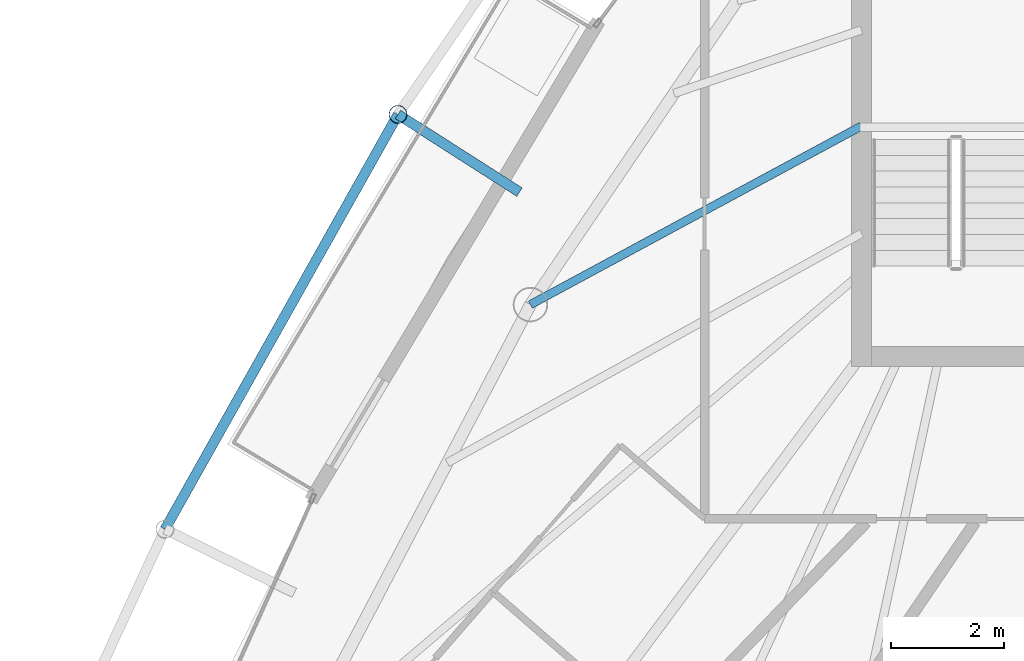
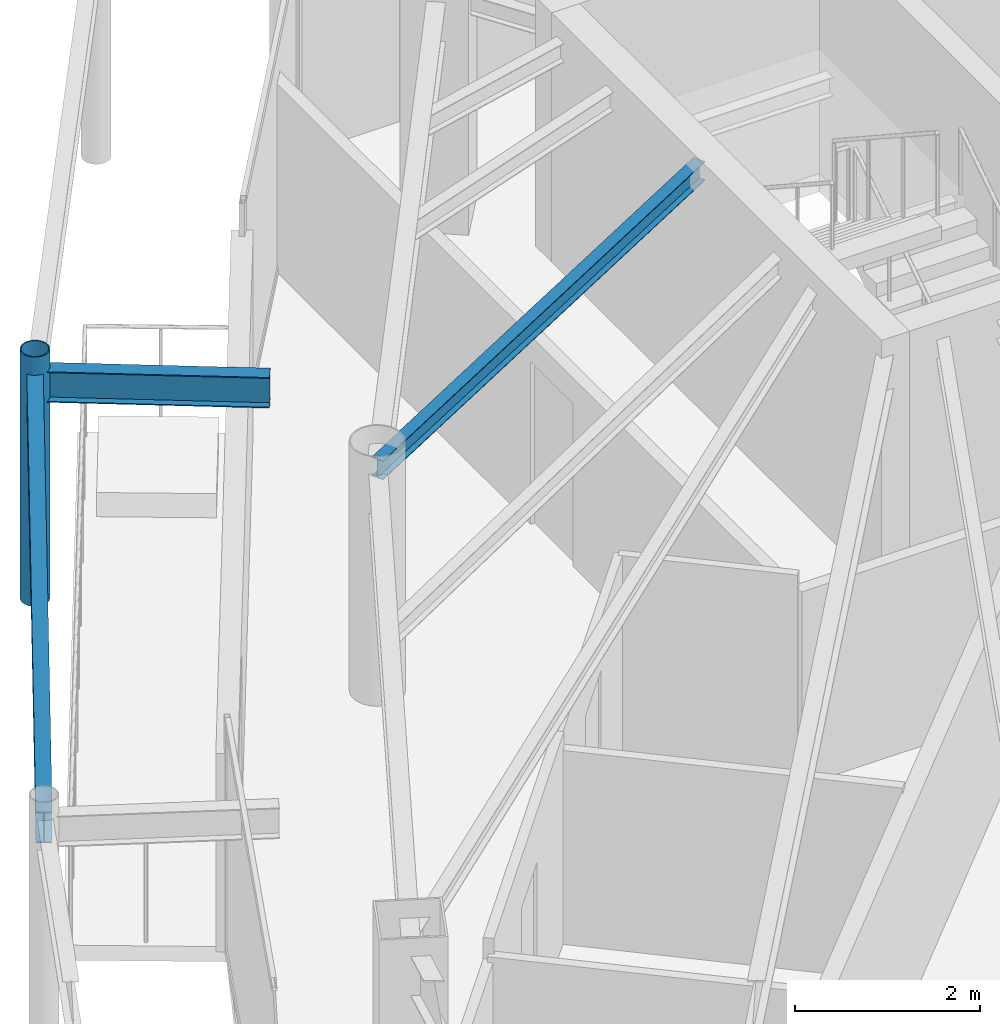
# One storey, part 11 of 29: 3 beams, 1 member.
"""IFC4 building model written with IfcOpenShell, lengths in metres."""

from ifc_helpers import new_model, si_unit, direction, frame, origin, origin_2d, place, context, subcontext, project, spatial, hollow_circle, i_section, extrude, material, material_profile, profile_set, type_object, element, save


model = new_model("IFC4")

# Units and contexts
model_context = context("Model", 3, precision=1e-05, world=origin(), true_north=direction((0.0, 1.0)))
body_context = subcontext(model_context, "Body", "Model", "MODEL_VIEW")
ifc_project = project(units=[si_unit("LENGTHUNIT", "METRE"), si_unit("AREAUNIT", "SQUARE_METRE"), si_unit("VOLUMEUNIT", "CUBIC_METRE"), si_unit("PLANEANGLEUNIT", "RADIAN"), si_unit("MASSUNIT", "GRAM", prefix="KILO")], contexts=[model_context])

# Site, building, storey
site_placement = place(None, origin())
site = spatial("IfcSite", under=ifc_project, at=site_placement, CompositionType="ELEMENT")
building_placement = place(site_placement, origin())
building = spatial("IfcBuilding", under=site, at=building_placement, Name="Orvanel Arch Residences", CompositionType="ELEMENT")
storey_placement = place(building_placement, frame((0.0, 0.0, 243.64990234375)))
storey = spatial("IfcBuildingStorey", under=building, at=storey_placement, Name="L69", CompositionType="ELEMENT", Elevation=243.64990234375)

# Beams
ifc_material_1 = material(Name="Structural steel AS/NZS 3679.1 Grade 300 (300 MPa)", Category="steel")
ifc_material_profile_1 = material_profile(ifc_material_1, i_section(OverallWidth=0.14599609375, OverallDepth=0.251953125, WebThickness=0.006103515625, FlangeThickness=0.008544921875, at=origin_2d()), Name="250UB31.4")
ifc_profile_set_1 = profile_set([ifc_material_profile_1], Name="Structural steel AS/NZS 3679.1 Grade 300 (300 MPa)")
beam_type_1 = type_object("IfcBeamType", Name="BJ-250UB", PredefinedType="JOIST", material=ifc_profile_set_1)
beam_1_placement = place(storey_placement, frame((26.425048828125, 30.800048828125, 2.93408203125), z_axis=(-0.880111494021, -0.474767056664, 0.0), x_axis=(0.474767056664, -0.880111494021, 0.0)))
element("IfcBeam", 1, at=beam_1_placement, inside=storey, type_object=beam_type_1, Name="L69 NW Wing Floor Joist", PredefinedType="JOIST", context=body_context, shape_type="SweptSolid", body=[
    extrude(i_section(OverallWidth=0.14599609375, OverallDepth=0.251953125, WebThickness=0.006103515625, FlangeThickness=0.008544921875, at=origin_2d()), origin(), (0.0, 0.0, 1.0), 6.653564453125),
])
ifc_material_profile_2 = material_profile(ifc_material_1, i_section(OverallWidth=0.177978515625, OverallDepth=0.406005859375, WebThickness=0.0078125, FlangeThickness=0.0126953125, at=origin_2d()), Name="410UB59.7")
ifc_profile_set_2 = profile_set([ifc_material_profile_2], Name="Structural steel AS/NZS 3679.1 Grade 300 (300 MPa)")
beam_type_2 = type_object("IfcBeamType", Name="OB-410UB-EXT", PredefinedType="SPANDREL", material=ifc_profile_set_2)
beam_2_placement = place(storey_placement, frame((20.3740234375, 29.631103515625, 2.857177734375), z_axis=(-0.842433088247, 0.538800976082, 0.0), x_axis=(-0.538800976082, -0.842433088247, 0.0)))
element("IfcBeam", 2, at=beam_2_placement, inside=storey, type_object=beam_type_2, Name="L69 Outer Frame Radial Tie Beam 02", PredefinedType="SPANDREL", context=body_context, shape_type="SweptSolid", body=[
    extrude(i_section(OverallWidth=0.177978515625, OverallDepth=0.406005859375, WebThickness=0.0078125, FlangeThickness=0.0126953125, at=origin_2d()), origin(), (0.0, 0.0, 1.0), 2.5498046875),
])
beam_3_placement = place(storey_placement, frame((18.22607421875, 31.0048828125, 2.857177734375), z_axis=(-0.489853552544, -0.871804735626, 0.0), x_axis=(0.871804735626, -0.489853552544, 0.0)))
element("IfcBeam", 3, at=beam_3_placement, inside=storey, type_object=beam_type_2, Name="L69 Outer Perimeter Floor Ring Beam 02", PredefinedType="SPANDREL", context=body_context, shape_type="SweptSolid", body=[
    extrude(i_section(OverallWidth=0.177978515625, OverallDepth=0.406005859375, WebThickness=0.0078125, FlangeThickness=0.0126953125, at=origin_2d()), origin(), (0.0, 0.0, 1.0), 8.4169921875),
])

# Member
ifc_material_2 = material(Name="Structural steel AS/NZS 1163 C350L0 (Grade 350)", Category="steel")
ifc_material_profile_3 = material_profile(ifc_material_2, hollow_circle(Radius=0.162109375, WallThickness=0.0126953125, at=origin_2d()), Name="CHS324x12.7")
ifc_profile_set_3 = profile_set([ifc_material_profile_3], Name="Structural steel AS/NZS 1163 C350L0 (Grade 350)")
member_type = type_object("IfcMemberType", Name="ST-324CHS-EXT", PredefinedType="STRUT", material=ifc_profile_set_3)
member_placement = place(storey_placement, frame((18.22607421875, 31.0048828125, 0.0), z_axis=(0.0, 0.0, 1.0), x_axis=(1.0, 0.0, 0.0)))
element("IfcMember", 4, at=member_placement, inside=storey, type_object=member_type, Name="L69 Outer Perimeter Frame Post 02", PredefinedType="STRUT", context=body_context, shape_type="SweptSolid", body=[
    extrude(hollow_circle(Radius=0.162109375, WallThickness=0.0126953125, at=origin_2d()), origin(), (0.0, 0.0, 1.0), 3.300048828125),
])

save(model, "model.ifc")
